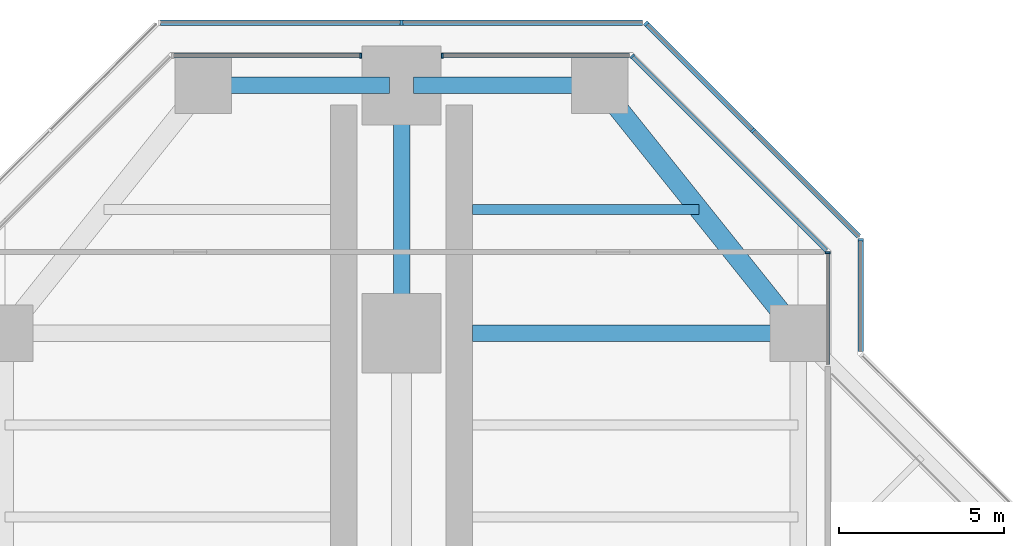
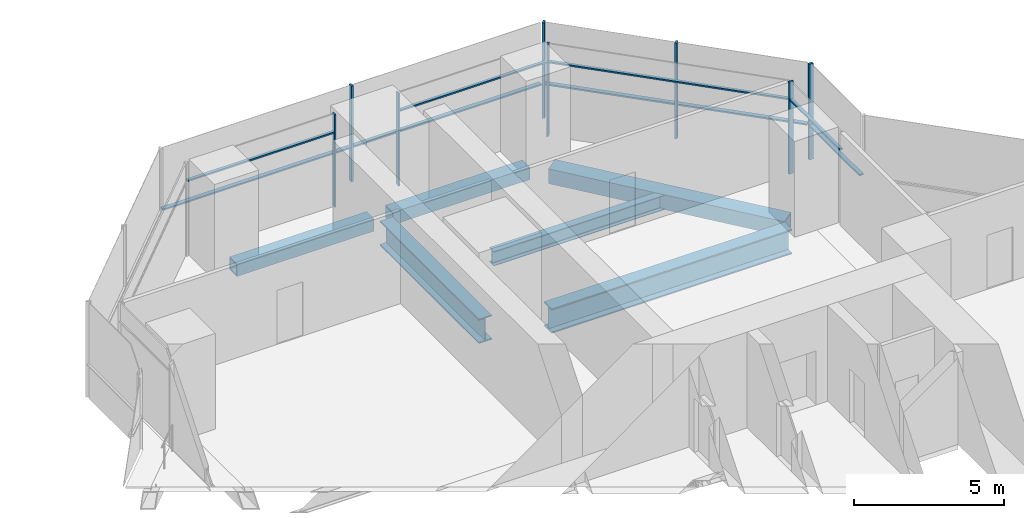
# One storey, part 10 of 20: 17 members, 6 beams, 7 elements without a shape of their own.
"""IFC4 building model written with IfcOpenShell, lengths in metres."""

from ifc_helpers import new_model, si_unit, direction, frame, origin, origin_2d, place, context, subcontext, project, spatial, rectangle, hollow_rectangle, i_section, extrude, material, material_profile, profile_set, type_object, element, aggregate, save


model = new_model("IFC4")

# Units and contexts
model_context = context("Model", 3, precision=1e-05, world=origin(), true_north=direction((0.0, 1.0)))
body_context = subcontext(model_context, "Body", "Model", "MODEL_VIEW")
ifc_project = project(units=[si_unit("LENGTHUNIT", "METRE"), si_unit("AREAUNIT", "SQUARE_METRE"), si_unit("VOLUMEUNIT", "CUBIC_METRE"), si_unit("PLANEANGLEUNIT", "RADIAN"), si_unit("MASSUNIT", "GRAM", prefix="KILO")], contexts=[model_context])

# Site, building, storey
site_placement = place(None, origin())
site = spatial("IfcSite", under=ifc_project, at=site_placement, CompositionType="ELEMENT")
building_placement = place(site_placement, origin())
building = spatial("IfcBuilding", under=site, at=building_placement, Name="Mizan Broadcast Tower", CompositionType="ELEMENT")
storey_placement = place(building_placement, frame((0.0, 0.0, 143.699951171875)))
storey = spatial("IfcBuildingStorey", under=building, at=storey_placement, Name="L32", CompositionType="ELEMENT", Elevation=143.699951171875)

# Beams
ifc_material_1 = material(Name="Steel S355", Category="steel")
ifc_material_profile_1 = material_profile(ifc_material_1, hollow_rectangle(XDim=0.5, YDim=0.5, WallThickness=0.030029296875, at=origin_2d()), Name="BOX 500x500x30")
ifc_profile_set_1 = profile_set([ifc_material_profile_1], Name="Steel S355")
beam_type_1 = type_object("IfcBeamType", Name="EDGE BEAM BOX 500x500x30", PredefinedType="SPANDREL", material=ifc_profile_set_1)
for number, where, z_axis, x_axis, name in (
    (1, (5.639892578125, 27.0, -0.3798828125), (-1.0, 0.0, 0.0), (0.0, -1.0, 0.0), "Edge beam BOX 500x500x30 L32 north arm"),
    (2, (-5.639892578125, 27.0, -0.3798828125), (1.0, 0.0, 0.0), (0.0, 1.0, 0.0), "Edge beam BOX 500x500x30 L32 north arm"),
):
    element("IfcBeam", number, at=place(storey_placement, frame(where, z_axis=z_axis, x_axis=x_axis)), inside=storey, type_object=beam_type_1, Name=name, PredefinedType="SPANDREL", context=body_context, shape_type="SweptSolid", body=[
        extrude(hollow_rectangle(XDim=0.5, YDim=0.5, WallThickness=0.030029296875, at=origin_2d()), origin(), (0.0, 0.0, 1.0), 5.27978515625),
    ])
ifc_material_2 = material(Name="Steel S355", Category="steel")
ifc_material_profile_2 = material_profile(ifc_material_2, hollow_rectangle(XDim=0.60009765625, YDim=0.60009765625, WallThickness=0.030029296875, at=origin_2d()), Name="BOX 600x600x30")
ifc_profile_set_2 = profile_set([ifc_material_profile_2], Name="Steel S355")
beam_type_2 = type_object("IfcBeamType", Name="EDGE BEAM BOX 600x600x30", PredefinedType="SPANDREL", material=ifc_profile_set_2)
beam_1_placement = place(storey_placement, frame((11.639892578125, 19.949951171875, -0.429931640625), z_axis=(-0.624673911726, 0.780885717636, 0.0), x_axis=(-0.780885717636, -0.624673911726, 0.0)))
element("IfcBeam", 3, at=beam_1_placement, inside=storey, type_object=beam_type_2, Name="Edge beam BOX 600x600x30 L32 north arm", PredefinedType="SPANDREL", context=body_context, shape_type="SweptSolid", body=[
    extrude(hollow_rectangle(XDim=0.60009765625, YDim=0.60009765625, WallThickness=0.030029296875, at=origin_2d()), origin(), (0.0, 0.0, 1.0), 8.4521484375),
])
ifc_material_3 = material(Name="Steel S460", Category="steel")
ifc_material_profile_3 = material_profile(ifc_material_3, i_section(OverallWidth=0.5, OverallDepth=1.0, WebThickness=0.02490234375, FlangeThickness=0.050048828125, at=origin_2d()), Name="WPG 1000x500")
ifc_profile_set_3 = profile_set([ifc_material_profile_3], Name="Steel S460")
beam_type_3 = type_object("IfcBeamType", Name="GIRDER WPG 1000x500", PredefinedType="BEAM", material=ifc_profile_set_3)
beam_2_placement = place(storey_placement, frame((0.0, 19.949951171875, -0.6298828125), z_axis=(0.0, 1.0, 0.0), x_axis=(-1.0, 0.0, 0.0)))
element("IfcBeam", 4, at=beam_2_placement, inside=storey, type_object=beam_type_3, Name="Girder WPG 1000x500 L32 north arm", PredefinedType="BEAM", context=body_context, shape_type="SweptSolid", body=[
    extrude(i_section(OverallWidth=0.5, OverallDepth=1.0, WebThickness=0.02490234375, FlangeThickness=0.050048828125, at=origin_2d()), origin(), (0.0, 0.0, 1.0), 6.60009765625),
])
beam_3_placement = place(storey_placement, frame((11.408935546875, 19.5, -0.6298828125), z_axis=(-1.0, 0.0, 0.0), x_axis=(0.0, -1.0, 0.0)))
element("IfcBeam", 5, at=beam_3_placement, inside=storey, type_object=beam_type_3, Name="Girder WPG 1000x500 L32 north arm", PredefinedType="BEAM", context=body_context, shape_type="SweptSolid", body=[
    extrude(i_section(OverallWidth=0.5, OverallDepth=1.0, WebThickness=0.02490234375, FlangeThickness=0.050048828125, at=origin_2d()), origin(), (0.0, 0.0, 1.0), 9.259033203125),
])

# Curtain wall, member
ifc_material_4 = material(Name="Aluminium framed glazing", Category="aluminium")
curtain_wall_type_1 = type_object("IfcCurtainWallType", Name="INNER SKIN MID ZONE", PredefinedType="USERDEFINED", material=ifc_material_4)
curtain_wall_1_placement = place(storey_placement, origin())
curtain_wall_1 = element("IfcCurtainWall", 6, at=curtain_wall_1_placement, inside=storey, type_object=curtain_wall_type_1, Name="Inner skin mid zone L32 N side", ObjectType="INNER SKIN MID ZONE", PredefinedType="USERDEFINED")
ifc_material_5 = material(Name="Aluminium, pale anodised", Category="aluminium")
ifc_material_profile_4 = material_profile(ifc_material_5, rectangle(XDim=0.159912109375, YDim=0.06005859375, at=origin_2d()), Name="MULLION 160x60")
ifc_profile_set_4 = profile_set([ifc_material_profile_4], Name="Aluminium, pale anodised")
member_type_1 = type_object("IfcMemberType", Name="INNER SKIN MULLION 60x160", PredefinedType="MULLION", material=ifc_profile_set_4)
member_1_placement = place(storey_placement, frame((12.89990234375, 21.928466796875, 0.0), z_axis=(0.0, 0.0, 1.0), x_axis=(-1.0, 0.0, 0.0)))
member_1 = element("IfcMember", 7, at=member_1_placement, type_object=member_type_1, Name="Inner skin mid zone L32 N side mullion 2", PredefinedType="MULLION", context=body_context, shape_type="SweptSolid", body=[
    extrude(rectangle(XDim=0.159912109375, YDim=0.06005859375, at=origin_2d()), origin(), (0.0, 0.0, 1.0), 3.77001953125),
])

curtain_wall_2_placement = place(storey_placement, origin())
curtain_wall_2 = element("IfcCurtainWall", 8, at=curtain_wall_2_placement, inside=storey, type_object=curtain_wall_type_1, Name="Inner skin mid zone L32 N chamfer", ObjectType="INNER SKIN MID ZONE", PredefinedType="USERDEFINED")
member_2_placement = place(storey_placement, frame((6.979736328125, 27.87890625, 0.0), z_axis=(0.0, 0.0, 1.0), x_axis=(-0.707106781187, -0.707106781187, 0.0)))
member_2 = element("IfcMember", 9, at=member_2_placement, type_object=member_type_1, Name="Inner skin mid zone L32 N chamfer mullion 2", PredefinedType="MULLION", context=body_context, shape_type="SweptSolid", body=[
    extrude(rectangle(XDim=0.159912109375, YDim=0.06005859375, at=origin_2d()), origin(), (0.0, 0.0, 1.0), 3.77001953125),
])

curtain_wall_3_placement = place(storey_placement, origin())
curtain_wall_3 = element("IfcCurtainWall", 10, at=curtain_wall_3_placement, inside=storey, type_object=curtain_wall_type_1, Name="Inner skin mid zone L32 N end", ObjectType="INNER SKIN MID ZONE", PredefinedType="USERDEFINED")
member_3_placement = place(storey_placement, frame((1.22998046875, 27.89990234375, 0.0), z_axis=(0.0, 0.0, 1.0), x_axis=(0.0, -1.0, 0.0)))
member_3 = element("IfcMember", 11, at=member_3_placement, type_object=member_type_1, Name="Inner skin mid zone L32 N end mullion 2", PredefinedType="MULLION", context=body_context, shape_type="SweptSolid", body=[
    extrude(rectangle(XDim=0.159912109375, YDim=0.06005859375, at=origin_2d()), origin(), (0.0, 0.0, 1.0), 3.77001953125),
])

curtain_wall_4_placement = place(storey_placement, origin())
curtain_wall_4 = element("IfcCurtainWall", 12, at=curtain_wall_4_placement, inside=storey, type_object=curtain_wall_type_1, Name="Inner skin mid zone L32 N end", ObjectType="INNER SKIN MID ZONE", PredefinedType="USERDEFINED")
member_4_placement = place(storey_placement, frame((-1.22998046875, 27.89990234375, 0.0), z_axis=(0.0, 0.0, 1.0), x_axis=(0.0, -1.0, 0.0)))
member_4 = element("IfcMember", 13, at=member_4_placement, type_object=member_type_1, Name="Inner skin mid zone L32 N end mullion 1", PredefinedType="MULLION", context=body_context, shape_type="SweptSolid", body=[
    extrude(rectangle(XDim=0.159912109375, YDim=0.06005859375, at=origin_2d()), origin(), (0.0, 0.0, 1.0), 3.77001953125),
])

# Member
ifc_material_6 = material(Name="Aluminium, pale anodised", Category="aluminium")
ifc_material_profile_5 = material_profile(ifc_material_6, rectangle(XDim=0.1201171875, YDim=0.06005859375, at=origin_2d()), Name="TRANSOM 120x60")
ifc_profile_set_5 = profile_set([ifc_material_profile_5], Name="Aluminium, pale anodised")
member_type_2 = type_object("IfcMemberType", Name="INNER SKIN TRANSOM 60x120", PredefinedType="USERDEFINED", material=ifc_profile_set_5)
member_5_placement = place(storey_placement, frame((12.89990234375, 18.56005859375, 3.030029296875), z_axis=(0.0, 1.0, 0.0), x_axis=(-1.0, 0.0, 0.0)))
member_5 = element("IfcMember", 14, at=member_5_placement, type_object=member_type_2, Name="Inner skin mid zone L32 N side transom 1.1", ObjectType="TRANSOM", PredefinedType="USERDEFINED", context=body_context, shape_type="SweptSolid", body=[
    extrude(rectangle(XDim=0.1201171875, YDim=0.06005859375, at=origin_2d()), origin(), (0.0, 0.0, 1.0), 3.338623046875),
])

aggregate(curtain_wall_1, [member_1, member_5])

member_6_placement = place(storey_placement, frame((12.857666015625, 22.0009765625, 3.030029296875), z_axis=(-0.707106781187, 0.707106781187, 0.0), x_axis=(-0.707106781187, -0.707106781187, 0.0)))
member_6 = element("IfcMember", 15, at=member_6_placement, type_object=member_type_2, Name="Inner skin mid zone L32 N chamfer transom 1.1", ObjectType="TRANSOM", PredefinedType="USERDEFINED", context=body_context, shape_type="SweptSolid", body=[
    extrude(rectangle(XDim=0.1201171875, YDim=0.06005859375, at=origin_2d()), origin(), (0.0, 0.0, 1.0), 8.28271484375),
])

aggregate(curtain_wall_2, [member_2, member_6])

member_7_placement = place(storey_placement, frame((6.898681640625, 27.89990234375, 3.030029296875), z_axis=(-1.0, 0.0, 0.0), x_axis=(0.0, -1.0, 0.0)))
member_7 = element("IfcMember", 16, at=member_7_placement, type_object=member_type_2, Name="Inner skin mid zone L32 N end transom 1.1", ObjectType="TRANSOM", PredefinedType="USERDEFINED", context=body_context, shape_type="SweptSolid", body=[
    extrude(rectangle(XDim=0.1201171875, YDim=0.06005859375, at=origin_2d()), origin(), (0.0, 0.0, 1.0), 5.638671875),
])

aggregate(curtain_wall_3, [member_3, member_7])

member_8_placement = place(storey_placement, frame((-1.260009765625, 27.89990234375, 3.030029296875), z_axis=(-1.0, 0.0, 0.0), x_axis=(0.0, -1.0, 0.0)))
member_8 = element("IfcMember", 17, at=member_8_placement, type_object=member_type_2, Name="Inner skin mid zone L32 N end transom 1.1", ObjectType="TRANSOM", PredefinedType="USERDEFINED", context=body_context, shape_type="SweptSolid", body=[
    extrude(rectangle(XDim=0.1201171875, YDim=0.06005859375, at=origin_2d()), origin(), (0.0, 0.0, 1.0), 5.638671875),
])

aggregate(curtain_wall_4, [member_4, member_8])

# Curtain wall, member
ifc_material_7 = material(Name="Aluminium framed glazing", Category="aluminium")
curtain_wall_type_2 = type_object("IfcCurtainWallType", Name="OUTER SKIN", PredefinedType="USERDEFINED", material=ifc_material_7)
curtain_wall_5_placement = place(storey_placement, origin())
curtain_wall_5 = element("IfcCurtainWall", 18, at=curtain_wall_5_placement, inside=storey, type_object=curtain_wall_type_2, Name="Outer skin L32 N side", ObjectType="OUTER SKIN", PredefinedType="USERDEFINED")
ifc_material_8 = material(Name="Aluminium, pale anodised", Category="aluminium")
ifc_material_profile_6 = material_profile(ifc_material_8, rectangle(XDim=0.159912109375, YDim=0.080078125, at=origin_2d()), Name="MULLION 160x80")
ifc_profile_set_6 = profile_set([ifc_material_profile_6], Name="Aluminium, pale anodised")
member_type_3 = type_object("IfcMemberType", Name="OUTER SKIN MULLION 80x160", PredefinedType="MULLION", material=ifc_profile_set_6)
member_9_placement = place(storey_placement, frame((13.89990234375, 22.332763671875, 0.0), z_axis=(0.0, 0.0, 1.0), x_axis=(-1.0, 0.0, 0.0)))
member_9 = element("IfcMember", 19, at=member_9_placement, type_object=member_type_3, Name="Outer skin L32 N side mullion 2", PredefinedType="MULLION", context=body_context, shape_type="SweptSolid", body=[
    extrude(rectangle(XDim=0.159912109375, YDim=0.080078125, at=origin_2d()), origin(), (0.0, 0.0, 1.0), 3.900146484375),
])

# Curtain wall, members
curtain_wall_6_placement = place(storey_placement, origin())
curtain_wall_6 = element("IfcCurtainWall", 20, at=curtain_wall_6_placement, inside=storey, type_object=curtain_wall_type_2, Name="Outer skin L32 N chamfer", ObjectType="OUTER SKIN", PredefinedType="USERDEFINED")
member_10_placement = place(storey_placement, frame((10.636474609375, 25.636474609375, 0.0), z_axis=(0.0, 0.0, 1.0), x_axis=(-0.707106781187, -0.707106781187, 0.0)))
member_10 = element("IfcMember", 21, at=member_10_placement, type_object=member_type_3, Name="Outer skin L32 N chamfer mullion 2", PredefinedType="MULLION", context=body_context, shape_type="SweptSolid", body=[
    extrude(rectangle(XDim=0.159912109375, YDim=0.080078125, at=origin_2d()), origin(), (0.0, 0.0, 1.0), 3.900146484375),
])
member_11_placement = place(storey_placement, frame((7.401123046875, 28.871826171875, 0.0), z_axis=(0.0, 0.0, 1.0), x_axis=(-0.707106781187, -0.707106781187, 0.0)))
member_11 = element("IfcMember", 22, at=member_11_placement, type_object=member_type_3, Name="Outer skin L32 N chamfer mullion 3", PredefinedType="MULLION", context=body_context, shape_type="SweptSolid", body=[
    extrude(rectangle(XDim=0.159912109375, YDim=0.080078125, at=origin_2d()), origin(), (0.0, 0.0, 1.0), 3.900146484375),
])

# Curtain wall, member
curtain_wall_7_placement = place(storey_placement, origin())
curtain_wall_7 = element("IfcCurtainWall", 23, at=curtain_wall_7_placement, inside=storey, type_object=curtain_wall_type_2, Name="Outer skin L32 N end", ObjectType="OUTER SKIN", PredefinedType="USERDEFINED")
member_12_placement = place(storey_placement, frame((0.0, 28.89990234375, 0.0), z_axis=(0.0, 0.0, 1.0), x_axis=(0.0, -1.0, 0.0)))
member_12 = element("IfcMember", 24, at=member_12_placement, type_object=member_type_3, Name="Outer skin L32 N end mullion 2", PredefinedType="MULLION", context=body_context, shape_type="SweptSolid", body=[
    extrude(rectangle(XDim=0.159912109375, YDim=0.080078125, at=origin_2d()), origin(), (0.0, 0.0, 1.0), 3.900146484375),
])

# Member
ifc_material_9 = material(Name="Aluminium, pale anodised", Category="aluminium")
ifc_material_profile_7 = material_profile(ifc_material_9, rectangle(XDim=0.159912109375, YDim=0.06005859375, at=origin_2d()), Name="TRANSOM 160x60")
ifc_profile_set_7 = profile_set([ifc_material_profile_7], Name="Aluminium, pale anodised")
member_type_4 = type_object("IfcMemberType", Name="OUTER SKIN TRANSOM 60x160", PredefinedType="USERDEFINED", material=ifc_profile_set_7)
member_13_placement = place(storey_placement, frame((13.89990234375, 18.952880859375, 1.400146484375), z_axis=(0.0, 1.0, 0.0), x_axis=(-1.0, 0.0, 0.0)))
member_13 = element("IfcMember", 25, at=member_13_placement, type_object=member_type_4, Name="Outer skin L32 N side transom 1.1", ObjectType="TRANSOM", PredefinedType="USERDEFINED", context=body_context, shape_type="SweptSolid", body=[
    extrude(rectangle(XDim=0.159912109375, YDim=0.06005859375, at=origin_2d()), origin(), (0.0, 0.0, 1.0), 3.33984375),
])

aggregate(curtain_wall_5, [member_9, member_13])

member_14_placement = place(storey_placement, frame((13.843505859375, 22.429443359375, 1.400146484375), z_axis=(-0.707106781187, 0.707106781187, 0.0), x_axis=(-0.707106781187, -0.707106781187, 0.0)))
member_14 = element("IfcMember", 26, at=member_14_placement, type_object=member_type_4, Name="Outer skin L32 N chamfer transom 1.1", ObjectType="TRANSOM", PredefinedType="USERDEFINED", context=body_context, shape_type="SweptSolid", body=[
    extrude(rectangle(XDim=0.159912109375, YDim=0.06005859375, at=origin_2d()), origin(), (0.0, 0.0, 1.0), 4.495361328125),
])

member_15_placement = place(storey_placement, frame((10.608154296875, 25.664794921875, 1.400146484375), z_axis=(-0.707106781187, 0.707106781187, 0.0), x_axis=(-0.707106781187, -0.707106781187, 0.0)))
member_15 = element("IfcMember", 27, at=member_15_placement, type_object=member_type_4, Name="Outer skin L32 N chamfer transom 2.1", ObjectType="TRANSOM", PredefinedType="USERDEFINED", context=body_context, shape_type="SweptSolid", body=[
    extrude(rectangle(XDim=0.159912109375, YDim=0.06005859375, at=origin_2d()), origin(), (0.0, 0.0, 1.0), 4.495361328125),
])

aggregate(curtain_wall_6, [member_10, member_11, member_14, member_15])

member_16_placement = place(storey_placement, frame((7.292724609375, 28.89990234375, 1.400146484375), z_axis=(-1.0, 0.0, 0.0), x_axis=(0.0, -1.0, 0.0)))
member_16 = element("IfcMember", 28, at=member_16_placement, type_object=member_type_4, Name="Outer skin L32 N end transom 1.1", ObjectType="TRANSOM", PredefinedType="USERDEFINED", context=body_context, shape_type="SweptSolid", body=[
    extrude(rectangle(XDim=0.159912109375, YDim=0.06005859375, at=origin_2d()), origin(), (0.0, 0.0, 1.0), 7.252685546875),
])

member_17_placement = place(storey_placement, frame((-0.0400390625, 28.89990234375, 1.400146484375), z_axis=(-1.0, 0.0, 0.0), x_axis=(0.0, -1.0, 0.0)))
member_17 = element("IfcMember", 29, at=member_17_placement, type_object=member_type_4, Name="Outer skin L32 N end transom 2.1", ObjectType="TRANSOM", PredefinedType="USERDEFINED", context=body_context, shape_type="SweptSolid", body=[
    extrude(rectangle(XDim=0.159912109375, YDim=0.06005859375, at=origin_2d()), origin(), (0.0, 0.0, 1.0), 7.252685546875),
])

aggregate(curtain_wall_7, [member_12, member_16, member_17])

# Beam
ifc_material_10 = material(Name="Steel S355", Category="steel")
ifc_material_profile_8 = material_profile(ifc_material_10, i_section(OverallWidth=0.300048828125, OverallDepth=0.590087890625, WebThickness=0.012939453125, FlangeThickness=0.02490234375, FilletRadius=0.027099609375, at=origin_2d()), Name="HEA 600")
ifc_profile_set_8 = profile_set([ifc_material_profile_8], Name="Steel S355")
beam_type_4 = type_object("IfcBeamType", Name="SECONDARY BEAM HEA 600", PredefinedType="JOIST", material=ifc_profile_set_8)
beam_4_placement = place(storey_placement, frame((9.0, 23.25, -0.425048828125), z_axis=(-1.0, 0.0, 0.0), x_axis=(0.0, -1.0, 0.0)))
element("IfcBeam", 30, at=beam_4_placement, inside=storey, type_object=beam_type_4, Name="Secondary beam HEA 600 L32 north arm", PredefinedType="JOIST", context=body_context, shape_type="SweptSolid", body=[
    extrude(i_section(OverallWidth=0.300048828125, OverallDepth=0.590087890625, WebThickness=0.012939453125, FlangeThickness=0.02490234375, FilletRadius=0.027099609375, at=origin_2d()), origin(), (0.0, 0.0, 1.0), 6.85009765625),
])

save(model, "model.ifc")
